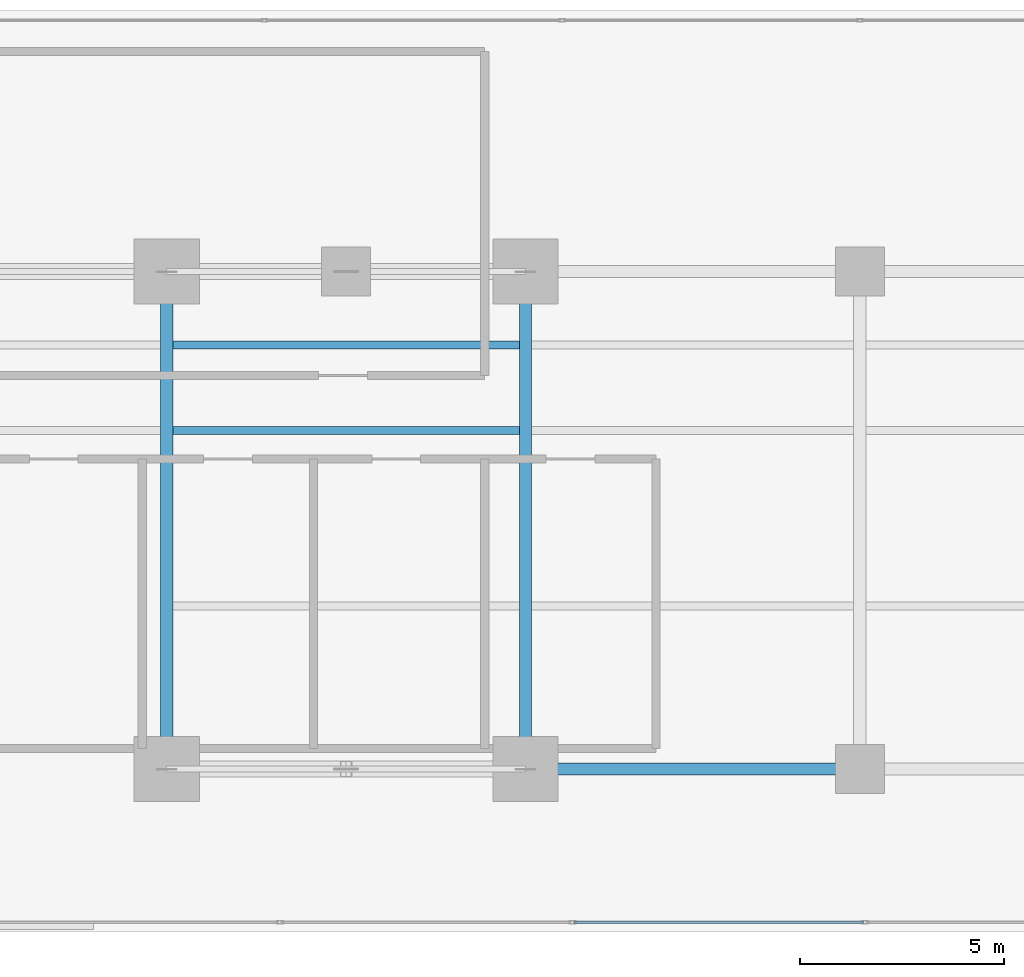
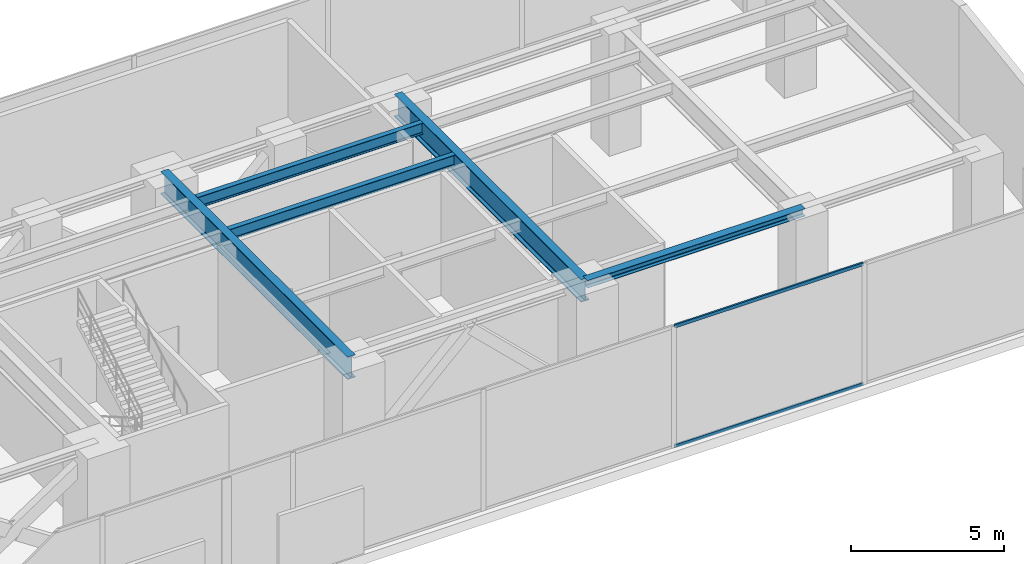
# One storey, part 15 of 36: 5 beams, 2 members, 1 element without a shape of its own.
"""IFC4 building model written with IfcOpenShell, lengths in metres."""

import ifcopenshell
import ifcopenshell.guid

model = None  # the IFC model being written
_history = None  # IfcOwnerHistory: only IFC2X3 demands one
_inside = {}  # id of a spatial element -> (the spatial element, [elements in it])
_under = {}  # id of a project, library or spatial element -> (it, [spatial elements below it])
_declared = {}  # id of a project -> (the project, [libraries it declares])
_typed = {}  # id of a type object -> (the type object, [elements of that type])
_made_of = {}  # id of a material, layer set ... -> (it, [elements and type objects made of it])


def new_model(schema):
    """Start an empty IFC model of exactly this schema.

    Asked for "IFC4X3", IfcOpenShell would pick the latest addendum, in which some entities
    have other attributes; the version numbers below select the first issue.
    IFC2X3 requires an IfcOwnerHistory on every rooted entity: one is made here for all.
    """
    global model, _history
    if schema == "IFC4X3":
        model = ifcopenshell.file(schema_version=(4, 3, 0, 0))
    else:
        model = ifcopenshell.file(schema=schema)
    _inside.clear()
    _under.clear()
    _declared.clear()
    _typed.clear()
    _made_of.clear()
    _history = None
    if model.schema == "IFC2X3":
        org = make("IfcOrganization", Name="unknown")
        user = make(
            "IfcPersonAndOrganization",
            ThePerson=make("IfcPerson", FamilyName="unknown"),
            TheOrganization=org,
        )
        app = make(
            "IfcApplication",
            ApplicationDeveloper=org,
            Version="unknown",
            ApplicationFullName="unknown",
            ApplicationIdentifier="unknown",
        )
        _history = make(
            "IfcOwnerHistory",
            OwningUser=user,
            OwningApplication=app,
            ChangeAction="ADDED",
            CreationDate=0,
        )
    return model


def make(cls, **values):
    """One entity of the class cls with the attributes given. An attribute that is None is left unset."""
    return model.create_entity(
        cls, **{name: value for name, value in values.items() if value is not None}
    )


def rooted(cls, **values):
    """An entity with a GlobalId (a new one), such as an element, a storey or a relation."""
    return make(cls, GlobalId=ifcopenshell.guid.new(), OwnerHistory=_history, **values)


def si_unit(unit_type, name, prefix=None):
    """IfcSIUnit, for example si_unit("LENGTHUNIT", "METRE", prefix="MILLI")."""
    return make("IfcSIUnit", UnitType=unit_type, Prefix=prefix, Name=name)


def assignment(units):
    """IfcUnitAssignment: the units of a project."""
    return None if units is None else make("IfcUnitAssignment", Units=units)


def point(xyz):
    """IfcCartesianPoint."""
    return None if xyz is None else make("IfcCartesianPoint", Coordinates=xyz)


def direction(xyz):
    """IfcDirection."""
    return None if xyz is None else make("IfcDirection", DirectionRatios=xyz)


def frame(location, z_axis=None, x_axis=None):
    """IfcAxis2Placement3D, a coordinate frame: its origin and axes. An axis left out is left unset."""
    return make(
        "IfcAxis2Placement3D",
        Location=point(location),
        Axis=direction(z_axis),
        RefDirection=direction(x_axis),
    )


def frame_2d(location, x_axis=None):
    """IfcAxis2Placement2D, a coordinate frame in the plane: its origin and x axis."""
    return make(
        "IfcAxis2Placement2D", Location=point(location), RefDirection=direction(x_axis)
    )


def origin():
    """The frame at (0, 0, 0) with its axes left unset."""
    return frame((0.0, 0.0, 0.0))


def origin_with_axes():
    """The frame at (0, 0, 0) with the z axis (0, 0, 1) and the x axis (1, 0, 0) written out."""
    return frame((0.0, 0.0, 0.0), z_axis=(0.0, 0.0, 1.0), x_axis=(1.0, 0.0, 0.0))


def origin_2d():
    """The frame at (0, 0) in the plane with its x axis left unset."""
    return frame_2d((0.0, 0.0))


def place(relative_to, where):
    """IfcLocalPlacement: puts the frame where relative to a parent placement (None: the world)."""
    return make(
        "IfcLocalPlacement", PlacementRelTo=relative_to, RelativePlacement=where
    )


def context(
    kind, dimensions, precision=None, world=None, true_north=None, identifier=None
):
    """IfcGeometricRepresentationContext, for example the 3D "Model" context."""
    return make(
        "IfcGeometricRepresentationContext",
        ContextIdentifier=identifier,
        ContextType=kind,
        CoordinateSpaceDimension=dimensions,
        Precision=precision,
        WorldCoordinateSystem=world,
        TrueNorth=true_north,
    )


def subcontext(parent, identifier, kind, view, scale=None):
    """IfcGeometricRepresentationSubContext, for example "Body" below "Model"."""
    return make(
        "IfcGeometricRepresentationSubContext",
        ContextIdentifier=identifier,
        ContextType=kind,
        ParentContext=parent,
        TargetScale=scale,
        TargetView=view,
    )


def project(units=None, contexts=None):
    """IfcProject with its units and contexts."""
    return rooted(
        "IfcProject",
        Name="project",
        RepresentationContexts=contexts,
        UnitsInContext=assignment(units),
    )


def spatial(cls, under=None, at=None, **own):
    """A site, building, storey or space (cls), placed at a placement, below another one or the project."""
    s = rooted(cls, ObjectPlacement=at, **own)
    if under is not None:
        _under.setdefault(under.id(), (under, []))[1].append(s)
    return s


def profile(cls, at=None, kind="AREA", **sizes):
    """A parametric profile (cls). Its sizes go by their IFC names, for example OverallWidth=200.0."""
    return make(cls, ProfileType=kind, Position=at, **sizes)


def hollow_rectangle(**sizes):
    """IfcRectangleHollowProfileDef."""
    return profile("IfcRectangleHollowProfileDef", **sizes)


def i_section(**sizes):
    """IfcIShapeProfileDef."""
    return profile("IfcIShapeProfileDef", **sizes)


def extrude(swept, where, along, depth):
    """IfcExtrudedAreaSolid: the profile swept, set in the frame where, extruded along a direction by depth."""
    return make(
        "IfcExtrudedAreaSolid",
        SweptArea=swept,
        Position=where,
        ExtrudedDirection=direction(along),
        Depth=depth,
    )


def shape(context_of_items, identifier, shape_type, items):
    """IfcShapeRepresentation: the items that make up one representation, for example the "Body"."""
    return make(
        "IfcShapeRepresentation",
        ContextOfItems=context_of_items,
        RepresentationIdentifier=identifier,
        RepresentationType=shape_type,
        Items=items,
    )


def source(mapping_origin, context_of_items, identifier, shape_type, items):
    """IfcRepresentationMap: a shape defined once, which mapped items show again and again."""
    return make(
        "IfcRepresentationMap",
        MappingOrigin=mapping_origin,
        MappedRepresentation=shape(context_of_items, identifier, shape_type, items),
    )


def transform(
    local_origin,
    x_axis=None,
    y_axis=None,
    z_axis=None,
    scale=None,
    scale2=None,
    scale3=None,
    uniform=True,
):
    """IfcCartesianTransformationOperator3D, or its non-uniform kind. x_axis, y_axis, z_axis: its Axis1, 2, 3."""
    if uniform:
        return make(
            "IfcCartesianTransformationOperator3D",
            Axis1=direction(x_axis),
            Axis2=direction(y_axis),
            LocalOrigin=point(local_origin),
            Scale=scale,
            Axis3=direction(z_axis),
        )
    return make(
        "IfcCartesianTransformationOperator3DnonUniform",
        Axis1=direction(x_axis),
        Axis2=direction(y_axis),
        LocalOrigin=point(local_origin),
        Scale=scale,
        Axis3=direction(z_axis),
        Scale2=scale2,
        Scale3=scale3,
    )


def mapped(mapping_source, mapping_target):
    """IfcMappedItem: shows the shape of a source again, moved by a transform."""
    return make(
        "IfcMappedItem", MappingSource=mapping_source, MappingTarget=mapping_target
    )


def material(Name=None, Category=None):
    """IfcMaterial."""
    return make("IfcMaterial", Name=Name, Category=Category)


def layer(
    of_material, thickness, ventilated=None, Name=None, Category=None, Priority=None
):
    """IfcMaterialLayer: one layer of a wall or slab, of a material (None: an air gap)."""
    return make(
        "IfcMaterialLayer",
        Material=of_material,
        LayerThickness=thickness,
        IsVentilated=ventilated,
        Name=Name,
        Category=Category,
        Priority=Priority,
    )


def layer_set(layers, Name=None):
    """IfcMaterialLayerSet."""
    return make("IfcMaterialLayerSet", MaterialLayers=layers, LayerSetName=Name)


def material_profile(
    of_material, cross_section, Name=None, Category=None, Priority=None
):
    """IfcMaterialProfile: a cross section and its material."""
    return make(
        "IfcMaterialProfile",
        Name=Name,
        Material=of_material,
        Profile=cross_section,
        Priority=Priority,
        Category=Category,
    )


def profile_set(profiles, Name=None, composite=None):
    """IfcMaterialProfileSet."""
    return make(
        "IfcMaterialProfileSet",
        Name=Name,
        MaterialProfiles=profiles,
        CompositeProfile=composite,
    )


def made_of(thing, what):
    """Note that an element or type object is made of a material, layer set ...; save() writes the relation."""
    if what is not None:
        _made_of.setdefault(what.id(), (what, []))[1].append(thing)
    return thing


def type_object(cls, material=None, **own):
    """A type object (cls), such as IfcWallType, which elements share."""
    return made_of(rooted(cls, **own), material)


def element(
    cls,
    number,
    at=None,
    inside=None,
    cuts=None,
    type_object=None,
    material=None,
    context=None,
    identifier="Body",
    shape_type=None,
    held_by="IfcProductDefinitionShape",
    body=None,
    shapes=None,
    **own,
):
    """One element of the class cls, such as IfcWall. Its Tag is "e" and its number.

    at: its placement. inside: the storey or other place that contains it. cuts: it is an
    opening in that element (IfcRelVoidsElement). A single representation is given by context,
    identifier, shape_type and body (its items); several are given by shapes. held_by: the class
    of the entity that holds the representations. save() writes the other relations.
    """
    e = rooted(cls, Tag="e%d" % number, ObjectPlacement=at, **own)
    if body is not None:
        shapes = [shape(context, identifier, shape_type, body)]
    if shapes is not None:
        e.Representation = make(held_by, Representations=shapes)
    if inside is not None:
        _inside.setdefault(inside.id(), (inside, []))[1].append(e)
    if cuts is not None:
        rooted(
            "IfcRelVoidsElement", RelatingBuildingElement=cuts, RelatedOpeningElement=e
        )
    if type_object is not None:
        _typed.setdefault(type_object.id(), (type_object, []))[1].append(e)
    return made_of(e, material)


def aggregate(whole, parts):
    """IfcRelAggregates: a whole, such as a stair, and the parts it consists of."""
    return rooted("IfcRelAggregates", RelatingObject=whole, RelatedObjects=parts)


def save(model, path):
    """Write the relations noted so far, then the file.

    IfcRelAggregates (storeys below a building ...), IfcRelContainedInSpatialStructure (elements
    in a storey), IfcRelDefinesByType, IfcRelAssociatesMaterial and IfcRelDeclares: one each for
    every whole, place, type object, material and project.
    """
    for whole, parts in _under.values():
        aggregate(whole, parts)
    for where, things in _inside.values():
        rooted(
            "IfcRelContainedInSpatialStructure",
            RelatedElements=things,
            RelatingStructure=where,
        )
    for kind, things in _typed.values():
        rooted("IfcRelDefinesByType", RelatedObjects=things, RelatingType=kind)
    for what, things in _made_of.values():
        rooted("IfcRelAssociatesMaterial", RelatedObjects=things, RelatingMaterial=what)
    for by, libraries in _declared.values():
        rooted("IfcRelDeclares", RelatingContext=by, RelatedDefinitions=libraries)
    model.write(path)


model = new_model("IFC4")

# Units and contexts
model_context = context("Model", 3, precision=1e-05, world=origin(), true_north=direction((0.0, 1.0)))
body_context = subcontext(model_context, "Body", "Model", "MODEL_VIEW")
ifc_project = project(units=[si_unit("LENGTHUNIT", "METRE"), si_unit("AREAUNIT", "SQUARE_METRE"), si_unit("VOLUMEUNIT", "CUBIC_METRE"), si_unit("PLANEANGLEUNIT", "RADIAN"), si_unit("MASSUNIT", "GRAM", prefix="KILO")], contexts=[model_context])

# Site, building, storey
site_placement = place(None, origin())
site = spatial("IfcSite", under=ifc_project, at=site_placement, CompositionType="ELEMENT")
building_placement = place(site_placement, origin())
building = spatial("IfcBuilding", under=site, at=building_placement, Name="Kolvaren Waterfront Exchange", CompositionType="ELEMENT")
storey_placement = place(building_placement, frame((0.0, 0.0, 82.800048828125)))
storey = spatial("IfcBuildingStorey", under=building, at=storey_placement, Name="L21", CompositionType="ELEMENT", Elevation=82.800048828125)

# Beams
ifc_material_1 = material(Name="Steel S355", Category="steel")
ifc_material_profile_1 = material_profile(ifc_material_1, i_section(OverallWidth=0.300048828125, OverallDepth=0.300048828125, WebThickness=0.010986328125, FlangeThickness=0.01904296875, FilletRadius=0.027099609375, at=origin_2d()), Name="HEB300")
ifc_profile_set_1 = profile_set([ifc_material_profile_1], Name="Steel S355")
beam_type_1 = type_object("IfcBeamType", Name="STR-BM-HEB300", PredefinedType="SPANDREL", material=ifc_profile_set_1)
beam_placement = place(storey_placement, frame((45.60009765625, 5.199951171875, 4.68994140625), z_axis=(1.0, 0.0, 0.0), x_axis=(0.0, 1.0, 0.0)))
element("IfcBeam", 1, at=beam_placement, inside=storey, type_object=beam_type_1, Name="L21 east-arm spandrel S4", PredefinedType="SPANDREL", context=body_context, shape_type="SweptSolid", body=[
    extrude(i_section(OverallWidth=0.300048828125, OverallDepth=0.300048828125, WebThickness=0.010986328125, FlangeThickness=0.01904296875, FilletRadius=0.027099609375, at=origin_2d()), origin(), (0.0, 0.0, 1.0), 8.199951171875),
])
ifc_material_profile_2 = material_profile(ifc_material_1, i_section(OverallWidth=0.300048828125, OverallDepth=0.89990234375, WebThickness=0.0185546875, FlangeThickness=0.034912109375, FilletRadius=0.030029296875, at=origin_2d()), Name="HEB900")
ifc_profile_set_2 = profile_set([ifc_material_profile_2], Name="Steel S355")
beam_type_2 = type_object("IfcBeamType", Name="STR-BM-HEB900", PredefinedType="BEAM", material=ifc_profile_set_2)
for number, where, z_axis, x_axis, name in (
    (2, (36.800048828125, 5.199951171875, 4.389892578125), (0.0, 1.0, 0.0), (-1.0, 0.0, 0.0), "L21 east-arm transverse girder X36"),
    (3, (45.60009765625, 5.199951171875, 4.389892578125), (0.0, 1.0, 0.0), (-1.0, 0.0, 0.0), "L21 east-arm transverse girder X45"),
):
    element("IfcBeam", number, at=place(storey_placement, frame(where, z_axis=z_axis, x_axis=x_axis)), inside=storey, type_object=beam_type_2, Name=name, PredefinedType="BEAM", context=body_context, shape_type="SweptSolid", body=[
        extrude(i_section(OverallWidth=0.300048828125, OverallDepth=0.89990234375, WebThickness=0.0185546875, FlangeThickness=0.034912109375, FilletRadius=0.030029296875, at=origin_2d()), origin(), (0.0, 0.0, 1.0), 12.199951171875),
    ])
ifc_material_profile_3 = material_profile(ifc_material_1, i_section(OverallWidth=0.18994140625, OverallDepth=0.449951171875, WebThickness=0.009521484375, FlangeThickness=0.0146484375, FilletRadius=0.02099609375, at=origin_2d()), Name="IPE450")
ifc_profile_set_3 = profile_set([ifc_material_profile_3], Name="Steel S355")
beam_type_3 = type_object("IfcBeamType", Name="STR-BM-IPE450", PredefinedType="JOIST", material=ifc_profile_set_3)
for number, where, z_axis, x_axis, name in (
    (4, (36.951904296875, 13.5, 4.614990234375), (1.0, 0.0, 0.0), (0.0, 1.0, 0.0), "L21 east-arm composite joist 3A"),
    (5, (36.951904296875, 15.60009765625, 4.614990234375), (1.0, 0.0, 0.0), (0.0, 1.0, 0.0), "L21 east-arm composite joist 3C"),
):
    element("IfcBeam", number, at=place(storey_placement, frame(where, z_axis=z_axis, x_axis=x_axis)), inside=storey, type_object=beam_type_3, Name=name, PredefinedType="JOIST", context=body_context, shape_type="SweptSolid", body=[
        extrude(i_section(OverallWidth=0.18994140625, OverallDepth=0.449951171875, WebThickness=0.009521484375, FlangeThickness=0.0146484375, FilletRadius=0.02099609375, at=origin_2d()), origin(), (0.0, 0.0, 1.0), 8.49609375),
    ])

# Curtain wall, members
ifc_material_2 = material(Name="Anodised dark bronze spandrel aluminium", Category="aluminium")
ifc_layer = layer(ifc_material_2, 0.219970703125, Name="Anodised dark bronze spandrel aluminium")
ifc_layer_set = layer_set([ifc_layer], Name="Anodised dark bronze spandrel aluminium")
curtain_wall_type = type_object("IfcCurtainWallType", Name="ARC-CW-SYS6", PredefinedType="USERDEFINED", material=ifc_layer_set)
curtain_wall_placement = place(storey_placement, origin())
curtain_wall = element("IfcCurtainWall", 6, at=curtain_wall_placement, inside=storey, type_object=curtain_wall_type, Name="L21 stick curtain wall CW6 (CW-L21-S)", ObjectType="STICK CURTAIN WALL", PredefinedType="USERDEFINED")
ifc_material_3 = material(Name="Anodised bronze aluminium 6063-T6", Category="aluminium")
ifc_material_profile_4 = material_profile(ifc_material_3, hollow_rectangle(XDim=0.06494140625, YDim=0.1298828125, WallThickness=0.00390625, at=origin_2d()), Name="ALU-TRN-130x65x4")
ifc_profile_set_4 = profile_set([ifc_material_profile_4], Name="Anodised bronze aluminium 6063-T6")
member_type = type_object("IfcMemberType", Name="ARC-CWT-130", PredefinedType="USERDEFINED", material=ifc_profile_set_4)
shared_shape = source(origin_with_axes(), body_context, "Body", "SweptSolid", [
    extrude(hollow_rectangle(XDim=0.06494140625, YDim=0.1298828125, WallThickness=0.00390625, at=origin_2d()), origin(), (0.0, 0.0, 1.0), 7.099853515625),
])
member_1_placement = place(storey_placement, frame((46.78759765625, 1.43994140625, 0.032470703125), z_axis=(1.0, 0.0, 0.0), x_axis=(0.0, 1.0, 0.0)))
member_1 = element("IfcMember", 7, at=member_1_placement, type_object=member_type, Name="CW6 transom 7.1", ObjectType="TRANSOM", PredefinedType="USERDEFINED", context=body_context, shape_type="MappedRepresentation", body=[
    mapped(shared_shape, transform((0.0, 0.0, 0.0), x_axis=(1.0, 0.0, 0.0), y_axis=(0.0, 1.0, 0.0), z_axis=(0.0, 0.0, 1.0), scale=1.0)),
])
member_2_placement = place(storey_placement, frame((46.78759765625, 1.43994140625, 4.807373046875), z_axis=(1.0, 0.0, 0.0), x_axis=(0.0, 1.0, 0.0)))
member_2 = element("IfcMember", 8, at=member_2_placement, type_object=member_type, Name="CW6 transom 7.2", ObjectType="TRANSOM", PredefinedType="USERDEFINED", context=body_context, shape_type="MappedRepresentation", body=[
    mapped(shared_shape, transform((0.0, 0.0, 0.0), x_axis=(1.0, 0.0, 0.0), y_axis=(0.0, 1.0, 0.0), z_axis=(0.0, 0.0, 1.0), scale=1.0)),
])
aggregate(curtain_wall, [member_1, member_2])

save(model, "model.ifc")
